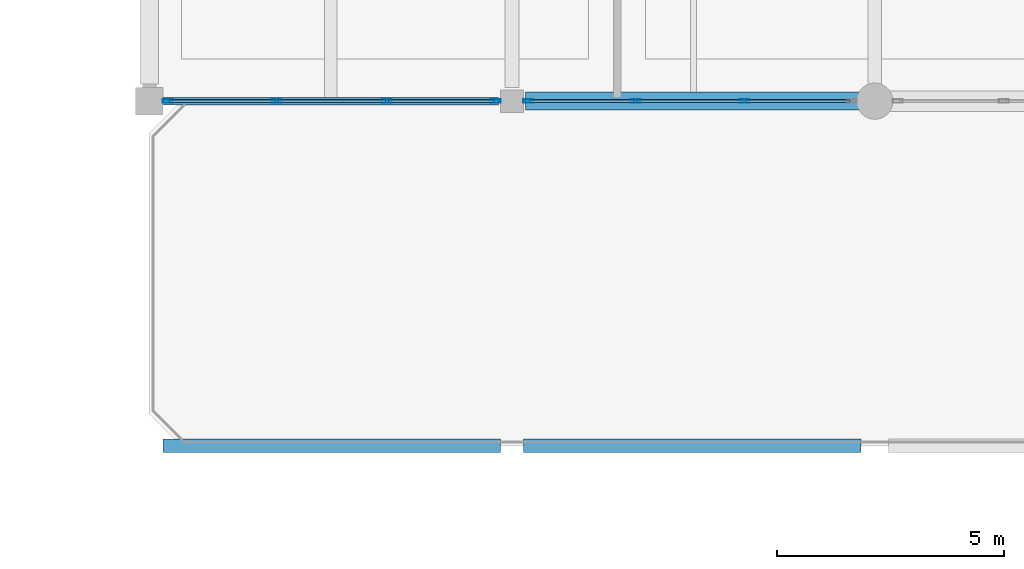
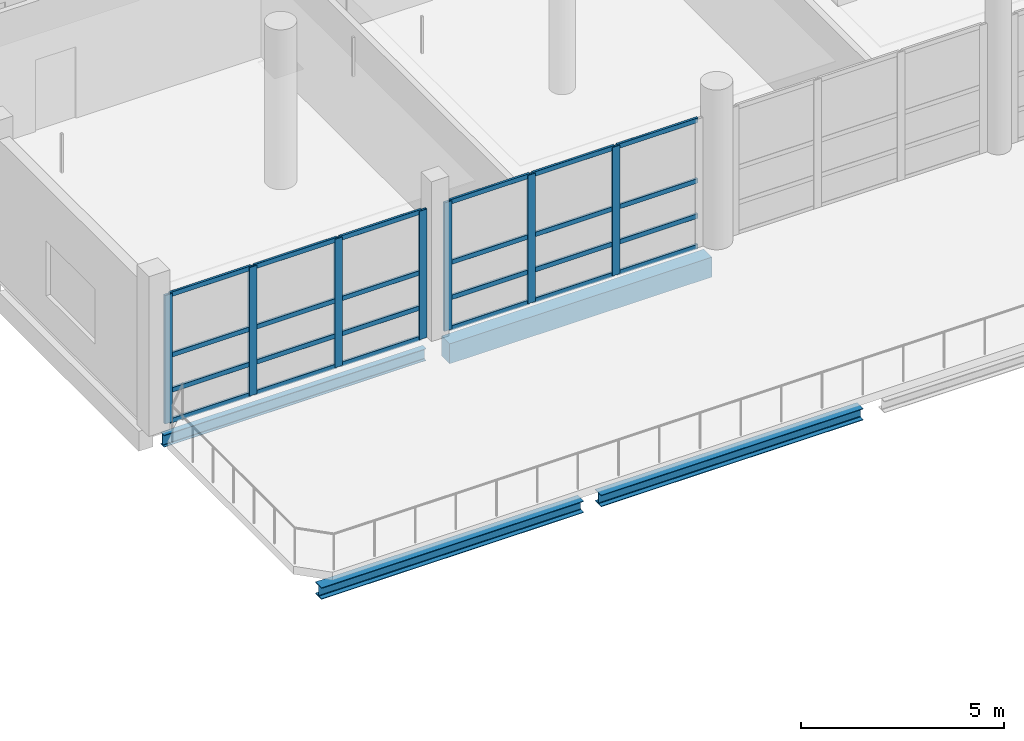
# One storey, part 61 of 141: 31 members, 4 beams, 2 elements without a shape of their own.
"""IFC4 building model written with IfcOpenShell, lengths in metres."""

from ifc_helpers import new_model, si_unit, direction, frame, origin, origin_2d, place, context, subcontext, project, spatial, rectangle, hollow_rectangle, i_section, extrude, material, material_profile, profile_set, type_object, element, aggregate, save


model = new_model("IFC4")

# Units and contexts
model_context = context("Model", 3, precision=1e-05, world=origin(), true_north=direction((0.0, 1.0)))
body_context = subcontext(model_context, "Body", "Model", "MODEL_VIEW")
ifc_project = project(units=[si_unit("LENGTHUNIT", "METRE"), si_unit("AREAUNIT", "SQUARE_METRE"), si_unit("VOLUMEUNIT", "CUBIC_METRE"), si_unit("PLANEANGLEUNIT", "RADIAN"), si_unit("MASSUNIT", "GRAM", prefix="KILO")], contexts=[model_context])

# Site, building, storey
site_placement = place(None, origin())
site = spatial("IfcSite", under=ifc_project, at=site_placement, CompositionType="ELEMENT")
building_placement = place(site_placement, origin())
building = spatial("IfcBuilding", under=site, at=building_placement, Name="Khelvaren Railside Concert Hall", CompositionType="ELEMENT")
storey_placement = place(building_placement, frame((0.0, 0.0, 10.199951171875)))
storey = spatial("IfcBuildingStorey", under=building, at=storey_placement, Name="L02", CompositionType="ELEMENT", Elevation=10.199951171875)

# Curtain wall, members
ifc_material_1 = material(Name="Double-glazed clear foyer glass", Category="glass")
curtain_wall_type_1 = type_object("IfcCurtainWallType", Name="CW70", PredefinedType="USERDEFINED", material=ifc_material_1)
curtain_wall_1_placement = place(storey_placement, origin())
curtain_wall_1 = element("IfcCurtainWall", 1, at=curtain_wall_1_placement, inside=storey, type_object=curtain_wall_type_1, Name="Unitised Curtain Wall CW-V5-L02-S-128", ObjectType="UNITISED CURTAIN WALL", PredefinedType="USERDEFINED")
ifc_material_2 = material(Name="Anodised architectural aluminium 6063-T6", Category="aluminium")
ifc_material_profile_1 = material_profile(ifc_material_2, hollow_rectangle(XDim=0.074951171875, YDim=0.219970703125, WallThickness=0.0048828125, InnerFilletRadius=0.0029296875, OuterFilletRadius=0.0048828125, at=origin_2d()), Name="CWM 75x220x5")
ifc_profile_set_1 = profile_set([ifc_material_profile_1], Name="Anodised architectural aluminium 6063-T6")
member_type_1 = type_object("IfcMemberType", Name="CWM13", PredefinedType="MULLION", material=ifc_profile_set_1)
member_1_placement = place(storey_placement, frame((135.639892578125, 91.199951171875, 0.0), z_axis=(0.0, 0.0, 1.0), x_axis=(0.0, -1.0, 0.0)))
member_1 = element("IfcMember", 2, at=member_1_placement, type_object=member_type_1, Name="CW70 mullion 1", PredefinedType="MULLION", context=body_context, shape_type="SweptSolid", body=[
    extrude(hollow_rectangle(XDim=0.074951171875, YDim=0.219970703125, WallThickness=0.0048828125, InnerFilletRadius=0.0029296875, OuterFilletRadius=0.0048828125, at=origin_2d()), origin(), (0.0, 0.0, 1.0), 3.860107421875),
])
member_2_placement = place(storey_placement, frame((133.242431640625, 91.199951171875, 0.0), z_axis=(0.0, 0.0, 1.0), x_axis=(0.0, -1.0, 0.0)))
member_2 = element("IfcMember", 3, at=member_2_placement, type_object=member_type_1, Name="CW70 mullion 2", PredefinedType="MULLION", context=body_context, shape_type="SweptSolid", body=[
    extrude(hollow_rectangle(XDim=0.074951171875, YDim=0.219970703125, WallThickness=0.0048828125, InnerFilletRadius=0.0029296875, OuterFilletRadius=0.0048828125, at=origin_2d()), origin(), (0.0, 0.0, 1.0), 3.860107421875),
])
member_3_placement = place(storey_placement, frame((130.8076171875, 91.199951171875, 0.0), z_axis=(0.0, 0.0, 1.0), x_axis=(0.0, -1.0, 0.0)))
member_3 = element("IfcMember", 4, at=member_3_placement, type_object=member_type_1, Name="CW70 mullion 3", PredefinedType="MULLION", context=body_context, shape_type="SweptSolid", body=[
    extrude(hollow_rectangle(XDim=0.074951171875, YDim=0.219970703125, WallThickness=0.0048828125, InnerFilletRadius=0.0029296875, OuterFilletRadius=0.0048828125, at=origin_2d()), origin(), (0.0, 0.0, 1.0), 3.860107421875),
])
member_4_placement = place(storey_placement, frame((128.409912109375, 91.199951171875, 0.0), z_axis=(0.0, 0.0, 1.0), x_axis=(0.0, -1.0, 0.0)))
member_4 = element("IfcMember", 5, at=member_4_placement, type_object=member_type_1, Name="CW70 mullion 4", PredefinedType="MULLION", context=body_context, shape_type="SweptSolid", body=[
    extrude(hollow_rectangle(XDim=0.074951171875, YDim=0.219970703125, WallThickness=0.0048828125, InnerFilletRadius=0.0029296875, OuterFilletRadius=0.0048828125, at=origin_2d()), origin(), (0.0, 0.0, 1.0), 3.860107421875),
])

curtain_wall_type_2 = type_object("IfcCurtainWallType", Name="CW83", PredefinedType="USERDEFINED", material=ifc_material_1)
curtain_wall_2_placement = place(storey_placement, origin())
curtain_wall_2 = element("IfcCurtainWall", 6, at=curtain_wall_2_placement, inside=storey, type_object=curtain_wall_type_2, Name="Unitised Curtain Wall CW-V5-L02-S-136", ObjectType="UNITISED CURTAIN WALL", PredefinedType="USERDEFINED")
member_5_placement = place(storey_placement, frame((141.125732421875, 91.199951171875, 0.0), z_axis=(0.0, 0.0, 1.0), x_axis=(0.0, -1.0, 0.0)))
member_5 = element("IfcMember", 7, at=member_5_placement, type_object=member_type_1, Name="CW83 mullion 2", PredefinedType="MULLION", context=body_context, shape_type="SweptSolid", body=[
    extrude(hollow_rectangle(XDim=0.074951171875, YDim=0.219970703125, WallThickness=0.0048828125, InnerFilletRadius=0.0029296875, OuterFilletRadius=0.0048828125, at=origin_2d()), origin(), (0.0, 0.0, 1.0), 3.860107421875),
])
member_6_placement = place(storey_placement, frame((138.72412109375, 91.199951171875, 0.0), z_axis=(0.0, 0.0, 1.0), x_axis=(0.0, -1.0, 0.0)))
member_6 = element("IfcMember", 8, at=member_6_placement, type_object=member_type_1, Name="CW83 mullion 3", PredefinedType="MULLION", context=body_context, shape_type="SweptSolid", body=[
    extrude(hollow_rectangle(XDim=0.074951171875, YDim=0.219970703125, WallThickness=0.0048828125, InnerFilletRadius=0.0029296875, OuterFilletRadius=0.0048828125, at=origin_2d()), origin(), (0.0, 0.0, 1.0), 3.860107421875),
])
member_7_placement = place(storey_placement, frame((136.360107421875, 91.199951171875, 0.0), z_axis=(0.0, 0.0, 1.0), x_axis=(0.0, -1.0, 0.0)))
member_7 = element("IfcMember", 9, at=member_7_placement, type_object=member_type_1, Name="CW83 mullion 4", PredefinedType="MULLION", context=body_context, shape_type="SweptSolid", body=[
    extrude(hollow_rectangle(XDim=0.074951171875, YDim=0.219970703125, WallThickness=0.0048828125, InnerFilletRadius=0.0029296875, OuterFilletRadius=0.0048828125, at=origin_2d()), origin(), (0.0, 0.0, 1.0), 3.860107421875),
])

# Member
ifc_material_profile_2 = material_profile(ifc_material_2, hollow_rectangle(XDim=0.06494140625, YDim=0.139892578125, WallThickness=0.00390625, InnerFilletRadius=0.001953125, OuterFilletRadius=0.00390625, at=origin_2d()), Name="CWT 65x140x4")
ifc_profile_set_2 = profile_set([ifc_material_profile_2], Name="Anodised architectural aluminium 6063-T6")
member_type_2 = type_object("IfcMemberType", Name="CWT72", PredefinedType="USERDEFINED", material=ifc_profile_set_2)
member_8_placement = place(storey_placement, frame((135.6025390625, 91.199951171875, 0.032470703125), z_axis=(-1.0, 0.0, 0.0), x_axis=(0.0, -1.0, 0.0)))
member_8 = element("IfcMember", 10, at=member_8_placement, type_object=member_type_2, Name="CW70 transom 1.1", ObjectType="TRANSOM", PredefinedType="USERDEFINED", context=body_context, shape_type="SweptSolid", body=[
    extrude(hollow_rectangle(XDim=0.06494140625, YDim=0.139892578125, WallThickness=0.00390625, InnerFilletRadius=0.001953125, OuterFilletRadius=0.00390625, at=origin_2d()), origin(), (0.0, 0.0, 1.0), 2.322509765625),
])

member_9_placement = place(storey_placement, frame((135.6025390625, 91.199951171875, 0.949951171875), z_axis=(-1.0, 0.0, 0.0), x_axis=(0.0, -1.0, 0.0)))
member_9 = element("IfcMember", 11, at=member_9_placement, type_object=member_type_2, Name="CW70 transom 1.2", ObjectType="TRANSOM", PredefinedType="USERDEFINED", context=body_context, shape_type="SweptSolid", body=[
    extrude(hollow_rectangle(XDim=0.06494140625, YDim=0.139892578125, WallThickness=0.00390625, InnerFilletRadius=0.001953125, OuterFilletRadius=0.00390625, at=origin_2d()), origin(), (0.0, 0.0, 1.0), 2.322509765625),
])

member_10_placement = place(storey_placement, frame((135.6025390625, 91.199951171875, 2.00732421875), z_axis=(-1.0, 0.0, 0.0), x_axis=(0.0, -1.0, 0.0)))
member_10 = element("IfcMember", 12, at=member_10_placement, type_object=member_type_2, Name="CW70 transom 1.3", ObjectType="TRANSOM", PredefinedType="USERDEFINED", context=body_context, shape_type="SweptSolid", body=[
    extrude(hollow_rectangle(XDim=0.06494140625, YDim=0.139892578125, WallThickness=0.00390625, InnerFilletRadius=0.001953125, OuterFilletRadius=0.00390625, at=origin_2d()), origin(), (0.0, 0.0, 1.0), 2.322509765625),
])

member_11_placement = place(storey_placement, frame((135.6025390625, 91.199951171875, 3.82763671875), z_axis=(-1.0, 0.0, 0.0), x_axis=(0.0, -1.0, 0.0)))
member_11 = element("IfcMember", 13, at=member_11_placement, type_object=member_type_2, Name="CW70 transom 1.4", ObjectType="TRANSOM", PredefinedType="USERDEFINED", context=body_context, shape_type="SweptSolid", body=[
    extrude(hollow_rectangle(XDim=0.06494140625, YDim=0.139892578125, WallThickness=0.00390625, InnerFilletRadius=0.001953125, OuterFilletRadius=0.00390625, at=origin_2d()), origin(), (0.0, 0.0, 1.0), 2.322509765625),
])

member_12_placement = place(storey_placement, frame((133.205078125, 91.199951171875, 0.032470703125), z_axis=(-1.0, 0.0, 0.0), x_axis=(0.0, -1.0, 0.0)))
member_12 = element("IfcMember", 14, at=member_12_placement, type_object=member_type_2, Name="CW70 transom 2.1", ObjectType="TRANSOM", PredefinedType="USERDEFINED", context=body_context, shape_type="SweptSolid", body=[
    extrude(hollow_rectangle(XDim=0.06494140625, YDim=0.139892578125, WallThickness=0.00390625, InnerFilletRadius=0.001953125, OuterFilletRadius=0.00390625, at=origin_2d()), origin(), (0.0, 0.0, 1.0), 2.360107421875),
])

member_13_placement = place(storey_placement, frame((133.205078125, 91.199951171875, 0.949951171875), z_axis=(-1.0, 0.0, 0.0), x_axis=(0.0, -1.0, 0.0)))
member_13 = element("IfcMember", 15, at=member_13_placement, type_object=member_type_2, Name="CW70 transom 2.2", ObjectType="TRANSOM", PredefinedType="USERDEFINED", context=body_context, shape_type="SweptSolid", body=[
    extrude(hollow_rectangle(XDim=0.06494140625, YDim=0.139892578125, WallThickness=0.00390625, InnerFilletRadius=0.001953125, OuterFilletRadius=0.00390625, at=origin_2d()), origin(), (0.0, 0.0, 1.0), 2.360107421875),
])

member_14_placement = place(storey_placement, frame((133.205078125, 91.199951171875, 2.00732421875), z_axis=(-1.0, 0.0, 0.0), x_axis=(0.0, -1.0, 0.0)))
member_14 = element("IfcMember", 16, at=member_14_placement, type_object=member_type_2, Name="CW70 transom 2.3", ObjectType="TRANSOM", PredefinedType="USERDEFINED", context=body_context, shape_type="SweptSolid", body=[
    extrude(hollow_rectangle(XDim=0.06494140625, YDim=0.139892578125, WallThickness=0.00390625, InnerFilletRadius=0.001953125, OuterFilletRadius=0.00390625, at=origin_2d()), origin(), (0.0, 0.0, 1.0), 2.360107421875),
])

member_15_placement = place(storey_placement, frame((133.205078125, 91.199951171875, 3.82763671875), z_axis=(-1.0, 0.0, 0.0), x_axis=(0.0, -1.0, 0.0)))
member_15 = element("IfcMember", 17, at=member_15_placement, type_object=member_type_2, Name="CW70 transom 2.4", ObjectType="TRANSOM", PredefinedType="USERDEFINED", context=body_context, shape_type="SweptSolid", body=[
    extrude(hollow_rectangle(XDim=0.06494140625, YDim=0.139892578125, WallThickness=0.00390625, InnerFilletRadius=0.001953125, OuterFilletRadius=0.00390625, at=origin_2d()), origin(), (0.0, 0.0, 1.0), 2.360107421875),
])

member_16_placement = place(storey_placement, frame((130.77001953125, 91.199951171875, 0.032470703125), z_axis=(-1.0, 0.0, 0.0), x_axis=(0.0, -1.0, 0.0)))
member_16 = element("IfcMember", 18, at=member_16_placement, type_object=member_type_2, Name="CW70 transom 3.1", ObjectType="TRANSOM", PredefinedType="USERDEFINED", context=body_context, shape_type="SweptSolid", body=[
    extrude(hollow_rectangle(XDim=0.06494140625, YDim=0.139892578125, WallThickness=0.00390625, InnerFilletRadius=0.001953125, OuterFilletRadius=0.00390625, at=origin_2d()), origin(), (0.0, 0.0, 1.0), 2.322509765625),
])

member_17_placement = place(storey_placement, frame((130.77001953125, 91.199951171875, 0.949951171875), z_axis=(-1.0, 0.0, 0.0), x_axis=(0.0, -1.0, 0.0)))
member_17 = element("IfcMember", 19, at=member_17_placement, type_object=member_type_2, Name="CW70 transom 3.2", ObjectType="TRANSOM", PredefinedType="USERDEFINED", context=body_context, shape_type="SweptSolid", body=[
    extrude(hollow_rectangle(XDim=0.06494140625, YDim=0.139892578125, WallThickness=0.00390625, InnerFilletRadius=0.001953125, OuterFilletRadius=0.00390625, at=origin_2d()), origin(), (0.0, 0.0, 1.0), 2.322509765625),
])

member_18_placement = place(storey_placement, frame((130.77001953125, 91.199951171875, 2.00732421875), z_axis=(-1.0, 0.0, 0.0), x_axis=(0.0, -1.0, 0.0)))
member_18 = element("IfcMember", 20, at=member_18_placement, type_object=member_type_2, Name="CW70 transom 3.3", ObjectType="TRANSOM", PredefinedType="USERDEFINED", context=body_context, shape_type="SweptSolid", body=[
    extrude(hollow_rectangle(XDim=0.06494140625, YDim=0.139892578125, WallThickness=0.00390625, InnerFilletRadius=0.001953125, OuterFilletRadius=0.00390625, at=origin_2d()), origin(), (0.0, 0.0, 1.0), 2.322509765625),
])

member_19_placement = place(storey_placement, frame((130.77001953125, 91.199951171875, 3.82763671875), z_axis=(-1.0, 0.0, 0.0), x_axis=(0.0, -1.0, 0.0)))
member_19 = element("IfcMember", 21, at=member_19_placement, type_object=member_type_2, Name="CW70 transom 3.4", ObjectType="TRANSOM", PredefinedType="USERDEFINED", context=body_context, shape_type="SweptSolid", body=[
    extrude(hollow_rectangle(XDim=0.06494140625, YDim=0.139892578125, WallThickness=0.00390625, InnerFilletRadius=0.001953125, OuterFilletRadius=0.00390625, at=origin_2d()), origin(), (0.0, 0.0, 1.0), 2.322509765625),
])

aggregate(curtain_wall_1, [member_1, member_2, member_3, member_4, member_8, member_9, member_10, member_11, member_12, member_13, member_14, member_15, member_16, member_17, member_18, member_19])

member_20_placement = place(storey_placement, frame((143.452392578125, 91.199951171875, 0.032470703125), z_axis=(-1.0, 0.0, 0.0), x_axis=(0.0, -1.0, 0.0)))
member_20 = element("IfcMember", 22, at=member_20_placement, type_object=member_type_2, Name="CW83 transom 1.1", ObjectType="TRANSOM", PredefinedType="USERDEFINED", context=body_context, shape_type="SweptSolid", body=[
    extrude(hollow_rectangle(XDim=0.06494140625, YDim=0.139892578125, WallThickness=0.00390625, InnerFilletRadius=0.001953125, OuterFilletRadius=0.00390625, at=origin_2d()), origin(), (0.0, 0.0, 1.0), 2.2890625),
])

member_21_placement = place(storey_placement, frame((143.452392578125, 91.199951171875, 0.949951171875), z_axis=(-1.0, 0.0, 0.0), x_axis=(0.0, -1.0, 0.0)))
member_21 = element("IfcMember", 23, at=member_21_placement, type_object=member_type_2, Name="CW83 transom 1.2", ObjectType="TRANSOM", PredefinedType="USERDEFINED", context=body_context, shape_type="SweptSolid", body=[
    extrude(hollow_rectangle(XDim=0.06494140625, YDim=0.139892578125, WallThickness=0.00390625, InnerFilletRadius=0.001953125, OuterFilletRadius=0.00390625, at=origin_2d()), origin(), (0.0, 0.0, 1.0), 2.2890625),
])

member_22_placement = place(storey_placement, frame((143.452392578125, 91.199951171875, 2.00732421875), z_axis=(-1.0, 0.0, 0.0), x_axis=(0.0, -1.0, 0.0)))
member_22 = element("IfcMember", 24, at=member_22_placement, type_object=member_type_2, Name="CW83 transom 1.3", ObjectType="TRANSOM", PredefinedType="USERDEFINED", context=body_context, shape_type="SweptSolid", body=[
    extrude(hollow_rectangle(XDim=0.06494140625, YDim=0.139892578125, WallThickness=0.00390625, InnerFilletRadius=0.001953125, OuterFilletRadius=0.00390625, at=origin_2d()), origin(), (0.0, 0.0, 1.0), 2.2890625),
])

member_23_placement = place(storey_placement, frame((143.452392578125, 91.199951171875, 3.82763671875), z_axis=(-1.0, 0.0, 0.0), x_axis=(0.0, -1.0, 0.0)))
member_23 = element("IfcMember", 25, at=member_23_placement, type_object=member_type_2, Name="CW83 transom 1.4", ObjectType="TRANSOM", PredefinedType="USERDEFINED", context=body_context, shape_type="SweptSolid", body=[
    extrude(hollow_rectangle(XDim=0.06494140625, YDim=0.139892578125, WallThickness=0.00390625, InnerFilletRadius=0.001953125, OuterFilletRadius=0.00390625, at=origin_2d()), origin(), (0.0, 0.0, 1.0), 2.2890625),
])

member_24_placement = place(storey_placement, frame((141.08837890625, 91.199951171875, 0.032470703125), z_axis=(-1.0, 0.0, 0.0), x_axis=(0.0, -1.0, 0.0)))
member_24 = element("IfcMember", 26, at=member_24_placement, type_object=member_type_2, Name="CW83 transom 2.1", ObjectType="TRANSOM", PredefinedType="USERDEFINED", context=body_context, shape_type="SweptSolid", body=[
    extrude(hollow_rectangle(XDim=0.06494140625, YDim=0.139892578125, WallThickness=0.00390625, InnerFilletRadius=0.001953125, OuterFilletRadius=0.00390625, at=origin_2d()), origin(), (0.0, 0.0, 1.0), 2.32666015625),
])

member_25_placement = place(storey_placement, frame((141.08837890625, 91.199951171875, 0.949951171875), z_axis=(-1.0, 0.0, 0.0), x_axis=(0.0, -1.0, 0.0)))
member_25 = element("IfcMember", 27, at=member_25_placement, type_object=member_type_2, Name="CW83 transom 2.2", ObjectType="TRANSOM", PredefinedType="USERDEFINED", context=body_context, shape_type="SweptSolid", body=[
    extrude(hollow_rectangle(XDim=0.06494140625, YDim=0.139892578125, WallThickness=0.00390625, InnerFilletRadius=0.001953125, OuterFilletRadius=0.00390625, at=origin_2d()), origin(), (0.0, 0.0, 1.0), 2.32666015625),
])

member_26_placement = place(storey_placement, frame((141.08837890625, 91.199951171875, 2.00732421875), z_axis=(-1.0, 0.0, 0.0), x_axis=(0.0, -1.0, 0.0)))
member_26 = element("IfcMember", 28, at=member_26_placement, type_object=member_type_2, Name="CW83 transom 2.3", ObjectType="TRANSOM", PredefinedType="USERDEFINED", context=body_context, shape_type="SweptSolid", body=[
    extrude(hollow_rectangle(XDim=0.06494140625, YDim=0.139892578125, WallThickness=0.00390625, InnerFilletRadius=0.001953125, OuterFilletRadius=0.00390625, at=origin_2d()), origin(), (0.0, 0.0, 1.0), 2.32666015625),
])

member_27_placement = place(storey_placement, frame((141.08837890625, 91.199951171875, 3.82763671875), z_axis=(-1.0, 0.0, 0.0), x_axis=(0.0, -1.0, 0.0)))
member_27 = element("IfcMember", 29, at=member_27_placement, type_object=member_type_2, Name="CW83 transom 2.4", ObjectType="TRANSOM", PredefinedType="USERDEFINED", context=body_context, shape_type="SweptSolid", body=[
    extrude(hollow_rectangle(XDim=0.06494140625, YDim=0.139892578125, WallThickness=0.00390625, InnerFilletRadius=0.001953125, OuterFilletRadius=0.00390625, at=origin_2d()), origin(), (0.0, 0.0, 1.0), 2.32666015625),
])

member_28_placement = place(storey_placement, frame((138.686767578125, 91.199951171875, 0.032470703125), z_axis=(-1.0, 0.0, 0.0), x_axis=(0.0, -1.0, 0.0)))
member_28 = element("IfcMember", 30, at=member_28_placement, type_object=member_type_2, Name="CW83 transom 3.1", ObjectType="TRANSOM", PredefinedType="USERDEFINED", context=body_context, shape_type="SweptSolid", body=[
    extrude(hollow_rectangle(XDim=0.06494140625, YDim=0.139892578125, WallThickness=0.00390625, InnerFilletRadius=0.001953125, OuterFilletRadius=0.00390625, at=origin_2d()), origin(), (0.0, 0.0, 1.0), 2.289306640625),
])

member_29_placement = place(storey_placement, frame((138.686767578125, 91.199951171875, 0.949951171875), z_axis=(-1.0, 0.0, 0.0), x_axis=(0.0, -1.0, 0.0)))
member_29 = element("IfcMember", 31, at=member_29_placement, type_object=member_type_2, Name="CW83 transom 3.2", ObjectType="TRANSOM", PredefinedType="USERDEFINED", context=body_context, shape_type="SweptSolid", body=[
    extrude(hollow_rectangle(XDim=0.06494140625, YDim=0.139892578125, WallThickness=0.00390625, InnerFilletRadius=0.001953125, OuterFilletRadius=0.00390625, at=origin_2d()), origin(), (0.0, 0.0, 1.0), 2.289306640625),
])

member_30_placement = place(storey_placement, frame((138.686767578125, 91.199951171875, 2.00732421875), z_axis=(-1.0, 0.0, 0.0), x_axis=(0.0, -1.0, 0.0)))
member_30 = element("IfcMember", 32, at=member_30_placement, type_object=member_type_2, Name="CW83 transom 3.3", ObjectType="TRANSOM", PredefinedType="USERDEFINED", context=body_context, shape_type="SweptSolid", body=[
    extrude(hollow_rectangle(XDim=0.06494140625, YDim=0.139892578125, WallThickness=0.00390625, InnerFilletRadius=0.001953125, OuterFilletRadius=0.00390625, at=origin_2d()), origin(), (0.0, 0.0, 1.0), 2.289306640625),
])

member_31_placement = place(storey_placement, frame((138.686767578125, 91.199951171875, 3.82763671875), z_axis=(-1.0, 0.0, 0.0), x_axis=(0.0, -1.0, 0.0)))
member_31 = element("IfcMember", 33, at=member_31_placement, type_object=member_type_2, Name="CW83 transom 3.4", ObjectType="TRANSOM", PredefinedType="USERDEFINED", context=body_context, shape_type="SweptSolid", body=[
    extrude(hollow_rectangle(XDim=0.06494140625, YDim=0.139892578125, WallThickness=0.00390625, InnerFilletRadius=0.001953125, OuterFilletRadius=0.00390625, at=origin_2d()), origin(), (0.0, 0.0, 1.0), 2.289306640625),
])

aggregate(curtain_wall_2, [member_5, member_6, member_7, member_20, member_21, member_22, member_23, member_24, member_25, member_26, member_27, member_28, member_29, member_30, member_31])

# Beams
ifc_material_3 = material(Name="Steel S355", Category="steel")
ifc_material_profile_3 = material_profile(ifc_material_3, i_section(OverallWidth=0.300048828125, OverallDepth=0.35009765625, WebThickness=0.010009765625, FlangeThickness=0.017578125, FilletRadius=0.027099609375, at=origin_2d()), Name="HEA 360")
ifc_profile_set_3 = profile_set([ifc_material_profile_3], Name="Steel S355")
beam_type_1 = type_object("IfcBeamType", Name="SP38", PredefinedType="SPANDREL", material=ifc_profile_set_3)
for number, where, z_axis, x_axis, name in (
    (34, (128.300048828125, 83.60009765625, -0.4150390625), (1.0, 0.0, 0.0), (0.0, 1.0, 0.0), "V5 L02 Terrace Edge Spandrel 20"),
    (35, (136.25, 83.60009765625, -0.4150390625), (1.0, 0.0, 0.0), (0.0, 1.0, 0.0), "V5 L02 Terrace Edge Spandrel 21"),
):
    element("IfcBeam", number, at=place(storey_placement, frame(where, z_axis=z_axis, x_axis=x_axis)), inside=storey, type_object=beam_type_1, Name=name, PredefinedType="SPANDREL", context=body_context, shape_type="SweptSolid", body=[
        extrude(i_section(OverallWidth=0.300048828125, OverallDepth=0.35009765625, WebThickness=0.010009765625, FlangeThickness=0.017578125, FilletRadius=0.027099609375, at=origin_2d()), origin(), (0.0, 0.0, 1.0), 7.449951171875),
    ])
ifc_material_profile_4 = material_profile(ifc_material_3, i_section(OverallWidth=0.169921875, OverallDepth=0.360107421875, WebThickness=0.008056640625, FlangeThickness=0.0126953125, FilletRadius=0.01806640625, at=origin_2d()), Name="IPE 360")
ifc_profile_set_4 = profile_set([ifc_material_profile_4], Name="Steel S355")
beam_type_2 = type_object("IfcBeamType", Name="SP74", PredefinedType="SPANDREL", material=ifc_profile_set_4)
beam_1_placement = place(storey_placement, frame((128.25, 91.199951171875, -0.469970703125), z_axis=(1.0, 0.0, 0.0), x_axis=(0.0, 1.0, 0.0)))
element("IfcBeam", 36, at=beam_1_placement, inside=storey, type_object=beam_type_2, Name="V5 L02 Spandrel X2.1", PredefinedType="SPANDREL", context=body_context, shape_type="SweptSolid", body=[
    extrude(i_section(OverallWidth=0.169921875, OverallDepth=0.360107421875, WebThickness=0.008056640625, FlangeThickness=0.0126953125, FilletRadius=0.01806640625, at=origin_2d()), origin(), (0.0, 0.0, 1.0), 7.449951171875),
])
ifc_material_4 = material(Name="Concrete C40/50", Category="concrete")
ifc_material_profile_5 = material_profile(ifc_material_4, rectangle(XDim=0.39990234375, YDim=0.60009765625, at=origin_2d()), Name="RCB 400x600")
ifc_profile_set_5 = profile_set([ifc_material_profile_5], Name="Concrete C40/50")
beam_type_3 = type_object("IfcBeamType", Name="SP75", PredefinedType="SPANDREL", material=ifc_profile_set_5)
beam_2_placement = place(storey_placement, frame((136.300048828125, 91.199951171875, -0.58984375), z_axis=(1.0, 0.0, 0.0), x_axis=(0.0, 1.0, 0.0)))
element("IfcBeam", 37, at=beam_2_placement, inside=storey, type_object=beam_type_3, Name="V5 L02 Spandrel X2.2", PredefinedType="SPANDREL", context=body_context, shape_type="SweptSolid", body=[
    extrude(rectangle(XDim=0.39990234375, YDim=0.60009765625, at=origin_2d()), origin(), (0.0, 0.0, 1.0), 7.449951171875),
])

save(model, "model.ifc")
